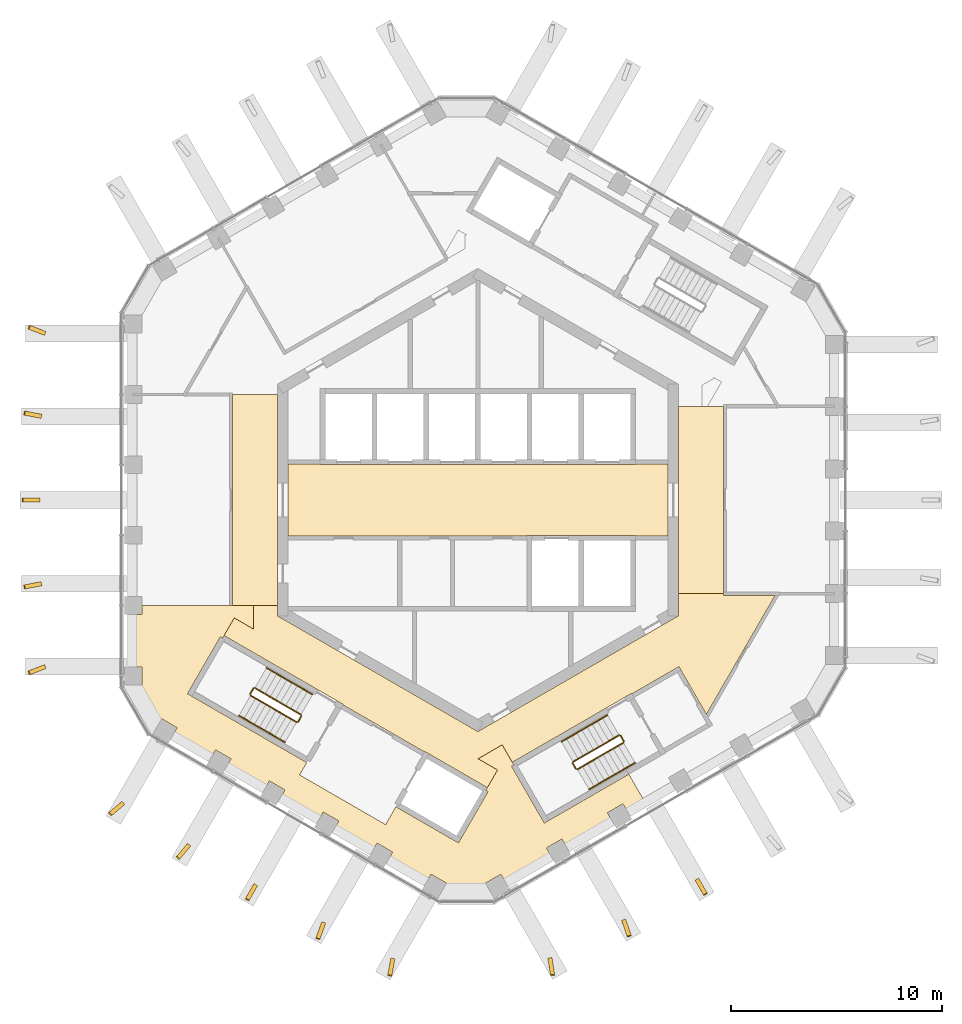
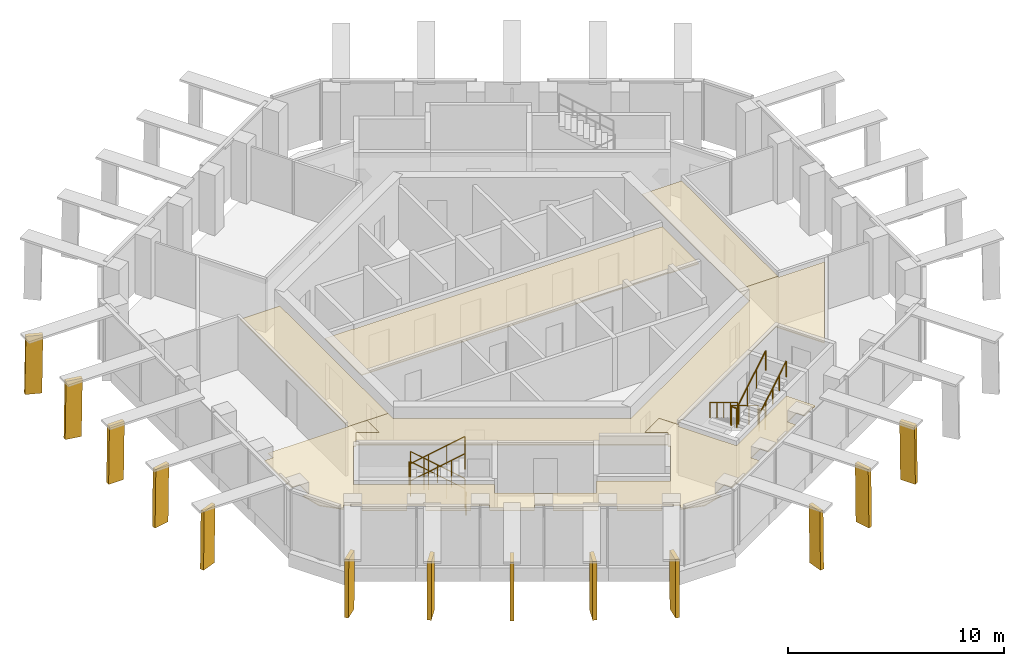
# One storey, part 15 of 17: 16 railings, 13 shading devices, 5 coverings.
"""IFC4 building model written with IfcOpenShell, lengths in metres."""

from ifc_helpers import new_model, si_unit, direction, frame, origin, origin_2d, place, context, subcontext, project, spatial, polyline, circle, outline, extrude, material, layer, layer_set, type_object, element, save


model = new_model("IFC4")

# Units and contexts
model_context = context("Model", 3, precision=1e-05, world=origin(), true_north=direction((0.0, 1.0)))
body_context = subcontext(model_context, "Body", "Model", "MODEL_VIEW")
ifc_project = project(units=[si_unit("LENGTHUNIT", "METRE"), si_unit("AREAUNIT", "SQUARE_METRE"), si_unit("VOLUMEUNIT", "CUBIC_METRE"), si_unit("PLANEANGLEUNIT", "RADIAN"), si_unit("MASSUNIT", "GRAM", prefix="KILO")], contexts=[model_context])

# Site, building, storey
site_placement = place(None, origin())
site = spatial("IfcSite", under=ifc_project, at=site_placement, CompositionType="ELEMENT")
building_placement = place(site_placement, origin())
building = spatial("IfcBuilding", under=site, at=building_placement, Name="Ayvan Gate Tower", CompositionType="ELEMENT")
storey_placement = place(building_placement, frame((0.0, 0.0, 249.5)))
storey = spatial("IfcBuildingStorey", under=building, at=storey_placement, Name="L67", CompositionType="ELEMENT", Elevation=249.5)

# Coverings
ifc_material_1 = material(Name="Plasterboard suspended ceiling")
ifc_layer_1 = layer(ifc_material_1, 0.050048828125)
ifc_layer_set_1 = layer_set([ifc_layer_1], Name="Plasterboard suspended ceiling")
covering_type = type_object("IfcCoveringType", Name="CT-SUSP-50", PredefinedType="CEILING", material=ifc_layer_set_1)
covering_1_placement = place(storey_placement, frame((0.0, 0.0, 2.699951171875)))
element("IfcCovering", 1, at=covering_1_placement, inside=storey, type_object=covering_type, Name="Ceiling Lift Lobby L67", PredefinedType="CEILING", context=body_context, shape_type="SweptSolid", body=[
    extrude(outline(polyline([(7.47509765625, -1.675048828125), (2.324951171875, -1.675048828125), (2.324951171875, -1.699951171875), (-9.0, -1.699951171875), (-9.0, 1.699951171875), (-7.47509765625, 1.699951171875), (-7.47509765625, 1.675048828125), (7.47509765625, 1.675048828125), (7.47509765625, 1.699951171875), (9.0, 1.699951171875), (9.0, -1.699951171875), (7.47509765625, -1.699951171875), (7.47509765625, -1.675048828125)])), origin(), (0.0, 0.0, 1.0), 0.050048828125),
])
covering_2_placement = place(storey_placement, frame((0.0, 0.0, 2.699951171875)))
element("IfcCovering", 2, at=covering_2_placement, inside=storey, type_object=covering_type, Name="Ceiling Gallery L67", PredefinedType="CEILING", context=body_context, shape_type="SweptSolid", body=[
    extrude(outline(polyline([(-4.66748046875, -8.27490234375), (0.0, -10.9697265625), (4.66748046875, -8.27490234375), (8.38720703125, -6.127197265625), (9.5, -5.48486328125), (9.5, -4.440673828125), (11.625, -4.440673828125), (11.625, -4.515625), (14.081298828125, -4.515625), (10.82666015625, -10.152587890625), (9.623779296875, -8.069091796875), (9.52392578125, -7.89599609375), (7.2939453125, -9.183349609375), (7.281494140625, -9.16162109375), (1.630615234375, -12.42431640625), (1.153076171875, -11.59716796875), (0.010009765625, -12.257080078125), (0.930419921875, -12.78857421875), (0.447998046875, -13.624267578125), (-2.284423828125, -12.046630859375), (-2.518310546875, -11.91162109375), (-2.53076171875, -11.933349609375), (-6.384521484375, -9.70849609375), (-6.3720703125, -9.686767578125), (-12.02294921875, -6.42431640625), (-11.540283203125, -5.58837890625), (-10.6201171875, -6.119873046875), (-10.6201171875, -4.995849609375), (-9.5, -4.995849609375), (-9.5, -5.48486328125), (-4.66748046875, -8.27490234375)])), origin(), (0.0, 0.0, 1.0), 0.050048828125),
])
covering_3_placement = place(storey_placement, frame((0.0, 0.0, 2.699951171875)))
element("IfcCovering", 3, at=covering_3_placement, inside=storey, type_object=covering_type, Name="Ceiling Lift Lounge Lobby L67", PredefinedType="CEILING", context=body_context, shape_type="SweptSolid", body=[
    extrude(outline(polyline([(11.625, -4.440673828125), (9.5, -4.440673828125), (9.5, 4.440673828125), (11.625, 4.440673828125), (11.625, -4.36572265625), (11.625, -4.36572265625), (11.625, -4.440673828125)])), origin(), (0.0, 0.0, 1.0), 0.050048828125),
])
covering_4_placement = place(storey_placement, frame((0.0, 0.0, 2.699951171875)))
element("IfcCovering", 4, at=covering_4_placement, inside=storey, type_object=covering_type, Name="Ceiling Lift Lounge Lobby L67", PredefinedType="CEILING", context=body_context, shape_type="SweptSolid", body=[
    extrude(outline(polyline([(-11.625, 4.995849609375), (-9.5, 4.995849609375), (-9.5, -4.995849609375), (-11.625, -4.995849609375), (-11.625, 4.995849609375)])), origin(), (0.0, 0.0, 1.0), 0.050048828125),
])
covering_5_placement = place(storey_placement, frame((0.0, 0.0, 2.699951171875)))
element("IfcCovering", 5, at=covering_5_placement, inside=storey, type_object=covering_type, Name="Ceiling Shared Kitchen L67", PredefinedType="CEILING", context=body_context, shape_type="SweptSolid", body=[
    extrude(outline(polyline([(-13.53955078125, -9.301513671875), (-8.106201171875, -12.438232421875), (-8.444091796875, -13.023681640625), (-4.3720703125, -15.374755859375), (-3.88427734375, -14.529541015625), (-0.9189453125, -16.24169921875), (-0.803955078125, -16.042236328125), (0.483642578125, -13.812255859375), (0.376220703125, -13.750244140625), (0.38671875, -13.732177734375), (0.931640625, -12.7880859375), (0.011962890625, -12.257080078125), (1.152587890625, -11.5986328125), (1.691650390625, -12.531982421875), (1.7021484375, -12.55029296875), (1.5947265625, -12.6123046875), (3.147216796875, -15.30126953125), (3.346435546875, -15.186279296875), (7.15185546875, -12.9892578125), (7.916015625, -14.31298828125), (7.099609375, -14.7841796875), (6.872314453125, -14.390380859375), (6.13623046875, -14.8154296875), (6.363525390625, -15.209228515625), (4.20947265625, -16.452880859375), (3.98193359375, -16.05908203125), (3.245849609375, -16.484130859375), (3.47314453125, -16.8779296875), (1.319091796875, -18.12158203125), (1.091796875, -17.727783203125), (0.355712890625, -18.15283203125), (0.523681640625, -18.444091796875), (-0.5341796875, -18.7275390625), (-1.643310546875, -18.430419921875), (-1.483154296875, -18.15283203125), (-2.219482421875, -17.727783203125), (-2.431884765625, -18.095947265625), (-4.247802734375, -17.047607421875), (-4.03515625, -16.679443359375), (-4.771240234375, -16.25439453125), (-4.98388671875, -16.62255859375), (-6.7998046875, -15.57421875), (-6.587158203125, -15.2060546875), (-7.3232421875, -14.781005859375), (-7.535888671875, -15.149169921875), (-9.351806640625, -14.100830078125), (-9.13916015625, -13.732666015625), (-9.875244140625, -13.3076171875), (-10.087890625, -13.67578125), (-11.90380859375, -12.62744140625), (-11.691162109375, -12.259521484375), (-12.42724609375, -11.83447265625), (-12.639892578125, -12.202392578125), (-14.45556640625, -11.154052734375), (-14.2431640625, -10.785888671875), (-14.979248046875, -10.361083984375), (-15.139404296875, -10.638427734375), (-15.951416015625, -9.826416015625), (-16.23486328125, -8.7685546875), (-15.898681640625, -8.7685546875), (-15.898681640625, -7.91845703125), (-16.353515625, -7.91845703125), (-16.353515625, -5.43115234375), (-15.898681640625, -5.43115234375), (-15.898681640625, -4.996826171875), (-10.62109375, -4.996826171875), (-10.62109375, -6.1181640625), (-11.540771484375, -5.587158203125), (-12.09619140625, -6.54931640625), (-12.20361328125, -6.4873046875), (-13.756103515625, -9.17626953125), (-13.53955078125, -9.30126953125), (-13.53955078125, -9.301513671875)])), origin(), (0.0, 0.0, 1.0), 0.050048828125),
])

# Shading devices
ifc_material_2 = material(Name="Bronze anodised aluminium", Category="aluminium")
ifc_layer_2 = layer(ifc_material_2, 0.199951171875)
ifc_layer_set_2 = layer_set([ifc_layer_2], Name="Bronze anodised aluminium")
shading_device_type = type_object("IfcShadingDeviceType", Name="Crown frame rib 800 x 200", PredefinedType="USERDEFINED", material=ifc_layer_set_2)
shading_device_1_placement = place(storey_placement, frame((-20.499267578125, 8.0009765625, 0.0), z_axis=(0.359336886693, 0.933207812745, 0.000424375036), x_axis=(-0.933207896787, 0.359336919026, 6.0431e-08)))
element("IfcShadingDevice", 6, at=shading_device_1_placement, inside=storey, type_object=shading_device_type, Name="CROWN FRAME rib FR05.4.1", ObjectType="FIN", PredefinedType="USERDEFINED", context=body_context, shape_type="SweptSolid", body=[
    extrude(outline(polyline([(0.0, 0.0), (0.7999729741374687, 0.0), (0.7502975463094581, 3.28002954689056), (-0.049763156568007186, 3.280029643582906), (0.0, 0.0)])), origin(), (0.0, 0.0, -1.0), 0.199951171875),
])
shading_device_2_placement = place(storey_placement, frame((-20.6982421875, 4.0712890625, 0.0), z_axis=(0.188247583558, 0.982121509679, 0.000433023752), x_axis=(-0.982121601758, 0.188247601207, 0.0)))
element("IfcShadingDevice", 7, at=shading_device_2_placement, inside=storey, type_object=shading_device_type, Name="CROWN FRAME rib FR05.4.2", ObjectType="FIN", PredefinedType="USERDEFINED", context=body_context, shape_type="SweptSolid", body=[
    extrude(outline(polyline([(0.0, 0.0), (0.8001948745126715, 0.0), (0.7544315920978253, 3.2800296043934845), (-0.04576328241484625, 3.2800296043934845), (0.0, 0.0)])), origin(), (0.0, 0.0, -1.0), 0.199951171875),
])
shading_device_3_placement = place(storey_placement, frame((-20.78369140625, 0.099853515625, 0.0), z_axis=(0.0, 0.999999900277, 0.000446594671), x_axis=(-1.0, 0.0, 0.0)))
element("IfcShadingDevice", 8, at=shading_device_3_placement, inside=storey, type_object=shading_device_type, Name="CROWN FRAME rib FR05.4.3", ObjectType="FIN", PredefinedType="USERDEFINED", context=body_context, shape_type="SweptSolid", body=[
    extrude(outline(polyline([(0.0, 0.0), (0.800048828125, 0.0), (0.755615234375, 3.280029623970722), (-0.04443359375, 3.280029623970722), (0.0, 0.0)])), origin(), (0.0, 0.0, -1.0), 0.199951171875),
])
shading_device_4_placement = place(storey_placement, frame((-20.736083984375, -3.875, 0.0), z_axis=(-0.188422949426, 0.982087874863, 0.000445170436), x_axis=(-0.98208797217, -0.188422968131, 7.951e-08)))
element("IfcShadingDevice", 9, at=shading_device_4_placement, inside=storey, type_object=shading_device_type, Name="CROWN FRAME rib FR05.4.4", ObjectType="FIN", PredefinedType="USERDEFINED", context=body_context, shape_type="SweptSolid", body=[
    extrude(outline(polyline([(0.0, 0.0), (0.8000010958856327, 0.0), (0.7542643049481805, 3.2800295619162907), (-0.04593055680757874, 3.280029689147729), (0.0, 0.0)])), origin(), (0.0, 0.0, -1.0), 0.199951171875),
])
shading_device_5_placement = place(storey_placement, frame((-20.571044921875, -7.814453125, 0.0), z_axis=(-0.359336883202, 0.933207803679, 0.000446680672), x_axis=(-0.933207896767, -0.359336919077, 6.3601e-08)))
element("IfcShadingDevice", 10, at=shading_device_5_placement, inside=storey, type_object=shading_device_type, Name="CROWN FRAME rib FR05.4.5", ObjectType="FIN", PredefinedType="USERDEFINED", context=body_context, shape_type="SweptSolid", body=[
    extrude(outline(polyline([(0.0, 0.0), (0.8000607028774714, -1.3552527156068805e-20), (0.7503512370084212, 3.280029576373769), (-0.04962173712904128, 3.2800296781372156), (0.0, 0.0)])), origin(), (0.0, 0.0, -1.0), 0.199951171875),
])
shading_device_6_placement = place(storey_placement, frame((-16.8955078125, -14.301025390625, 0.0), z_axis=(-0.649634622958, 0.760246436402, 0.000461076791), x_axis=(-0.760246517227, -0.649634691996, -4.5694e-08)))
element("IfcShadingDevice", 11, at=shading_device_6_placement, inside=storey, type_object=shading_device_type, Name="CROWN FRAME rib FR05.5.1", ObjectType="FIN", PredefinedType="USERDEFINED", context=body_context, shape_type="SweptSolid", body=[
    extrude(outline(polyline([(0.0, 0.0), (0.8001969189912868, 0.0), (0.749854346131223, 3.280029679792304), (-0.05015696580019389, 3.2800296066729824), (0.0, 0.0)])), origin(), (0.0, 0.0, -1.0), 0.199951171875),
])
shading_device_7_placement = place(storey_placement, frame((-13.784423828125, -16.297607421875, 0.0), z_axis=(-0.766617836668, 0.642103474662, 0.00046939235), x_axis=(-0.642103545399, -0.766617921123, 0.0)))
element("IfcShadingDevice", 12, at=shading_device_7_placement, inside=storey, type_object=shading_device_type, Name="CROWN FRAME rib FR05.5.2", ObjectType="FIN", PredefinedType="USERDEFINED", context=body_context, shape_type="SweptSolid", body=[
    extrude(outline(polyline([(0.0, 0.0), (0.7999829290476004, 0.0), (0.7531529445428216, 3.280029658218139), (-0.046829984504778835, 3.280029658218139), (0.0, 0.0)])), origin(), (0.0, 0.0, -1.0), 0.199951171875),
])
shading_device_8_placement = place(storey_placement, frame((-10.626220703125, -18.20556640625, 0.0), z_axis=(-0.865961892378, 0.500109775055, 0.00046243194), x_axis=(-0.500109828528, -0.865961984968, 0.0)))
element("IfcShadingDevice", 13, at=shading_device_8_placement, inside=storey, type_object=shading_device_type, Name="CROWN FRAME rib FR05.5.3", ObjectType="FIN", PredefinedType="USERDEFINED", context=body_context, shape_type="SweptSolid", body=[
    extrude(outline(polyline([(0.0, 0.0), (0.8001172173575528, 0.0), (0.7544143783355358, 3.280029647581199), (-0.045702839022017064, 3.280029647581199), (0.0, 0.0)])), origin(), (0.0, 0.0, -1.0), 0.199951171875),
])
shading_device_9_placement = place(storey_placement, frame((-7.40966796875, -20.017822265625, 0.0), z_axis=(-0.939445372812, 0.34269844199, 0.000411533277), x_axis=(-0.342698471002, -0.939445452367, 2.1516e-08)))
element("IfcShadingDevice", 14, at=shading_device_9_placement, inside=storey, type_object=shading_device_type, Name="CROWN FRAME rib FR05.5.4", ObjectType="FIN", PredefinedType="USERDEFINED", context=body_context, shape_type="SweptSolid", body=[
    extrude(outline(polyline([(0.0, 0.0), (0.8001471998957519, -1.3552527156068805e-20), (0.7531520733454077, 3.2800295584226613), (-0.04676576975044978, 3.280029592849324), (0.0, 0.0)])), origin(), (0.0, 0.0, -1.0), 0.199951171875),
])
shading_device_10_placement = place(storey_placement, frame((-4.134033203125, -21.74609375, 0.0), z_axis=(-0.983263666661, 0.182187588143, 0.000494521482), x_axis=(-0.18218761042, -0.98326378689, 0.0)))
element("IfcShadingDevice", 15, at=shading_device_10_placement, inside=storey, type_object=shading_device_type, Name="CROWN FRAME rib FR05.5.5", ObjectType="FIN", PredefinedType="USERDEFINED", context=body_context, shape_type="SweptSolid", body=[
    extrude(outline(polyline([(0.0, 0.0), (0.8000102355421452, 0.0), (0.7498021603411223, 3.2800296979431103), (-0.05020807520102281, 3.2800296979431103), (0.0, 0.0)])), origin(), (0.0, 0.0, -1.0), 0.199951171875),
])
shading_device_11_placement = place(storey_placement, frame((3.320556640625, -21.75341796875, 0.0), z_axis=(-0.987861620973, -0.155335670397, 0.000497302932), x_axis=(0.155335689605, -0.987861743127, 0.0)))
element("IfcShadingDevice", 16, at=shading_device_11_placement, inside=storey, type_object=shading_device_type, Name="CROWN FRAME rib FR05.6.1", ObjectType="FIN", PredefinedType="USERDEFINED", context=body_context, shape_type="SweptSolid", body=[
    extrude(outline(polyline([(0.0, 0.0), (0.7999937325470513, -1.3552527156068805e-20), (0.7503278476955174, 3.2800297024674365), (-0.04966588485153385, 3.2800297024674365), (0.0, 0.0)])), origin(), (0.0, 0.0, -1.0), 0.199951171875),
])
shading_device_12_placement = place(storey_placement, frame((6.8232421875, -19.9609375, 0.0), z_axis=(-0.944704417205, -0.327922757644, 0.000478678068), x_axis=(0.327922795233, -0.944704525429, 4.5043e-08)))
element("IfcShadingDevice", 17, at=shading_device_12_placement, inside=storey, type_object=shading_device_type, Name="CROWN FRAME rib FR05.6.2", ObjectType="FIN", PredefinedType="USERDEFINED", context=body_context, shape_type="SweptSolid", body=[
    extrude(outline(polyline([(0.0, 0.0), (0.8001274940440789, -1.3552527156068805e-20), (0.7541289867297101, 3.2800296386879197), (-0.045687807284910266, 3.2800297107539755), (0.0, 0.0)])), origin(), (0.0, 0.0, -1.0), 0.199951171875),
])
shading_device_13_placement = place(storey_placement, frame((10.305419921875, -18.04931640625, 0.0), z_axis=(-0.865989811042, -0.500061429213, 0.000462800934), x_axis=(0.500061482756, -0.865989903789, -2.5848e-08)))
element("IfcShadingDevice", 18, at=shading_device_13_placement, inside=storey, type_object=shading_device_type, Name="CROWN FRAME rib FR05.6.3", ObjectType="FIN", PredefinedType="USERDEFINED", context=body_context, shape_type="SweptSolid", body=[
    extrude(outline(polyline([(0.0, 0.0), (0.799783707471367, 0.0), (0.7555786396224826, 3.280029667671348), (-0.0445385764881775, 3.2800296263170208), (0.0, 0.0)])), origin(), (0.0, 0.0, -1.0), 0.199951171875),
])

# Railings
ifc_material_3 = material(Name="Stainless steel balustrade", Category="steel")
railing_type_1 = type_object("IfcRailingType", Name="RL-GUARD-1100", PredefinedType="GUARDRAIL", material=ifc_material_3)
railing_1_placement = place(storey_placement, frame((-8.381103515625, -10.16650390625, 0.169921875)))
element("IfcRailing", 19, at=railing_1_placement, inside=storey, type_object=railing_type_1, Name="L67 STS2 stair guard 1", PredefinedType="GUARDRAIL", context=body_context, shape_type="SweptSolid", body=[
    extrude(circle(Radius=0.02392578125, at=origin_2d()), frame((0.0, 0.0, 1.076171875), z_axis=(-0.740261155115, 0.427395438142, 0.518986090067), x_axis=(-0.500004791531, -0.866022637375, 0.0)), (0.0, 0.0, 1.0), 2.947998046875),
    extrude(circle(Radius=0.02099609375, at=origin_2d()), origin(), (0.0, 0.0, 1.0), 1.052001953125),
    extrude(circle(Radius=0.02099609375, at=origin_2d()), frame((-0.7275390625, 0.419921875, 0.510009765625)), (0.0, 0.0, 1.0), 1.052001953125),
    extrude(circle(Radius=0.02099609375, at=origin_2d()), frame((-1.454833984375, 0.840087890625, 1.02001953125)), (0.0, 0.0, 1.0), 1.052001953125),
    extrude(circle(Radius=0.02099609375, at=origin_2d()), frame((-2.182373046875, 1.260009765625, 1.530029296875)), (0.0, 0.0, 1.0), 1.052001953125),
])
railing_2_placement = place(storey_placement, frame((-10.6318359375, -8.9248046875, 1.699951171875)))
element("IfcRailing", 20, at=railing_2_placement, inside=storey, type_object=railing_type_1, Name="L67 STS2 stair guard 2", PredefinedType="GUARDRAIL", context=body_context, shape_type="SweptSolid", body=[
    extrude(circle(Radius=0.02392578125, at=origin_2d()), frame((0.0, 0.0, 1.076171875), z_axis=(-0.499949632511, -0.866054481515, 0.0), x_axis=(0.866054481515, -0.499949632511, 0.0)), (0.0, 0.0, 1.0), 0.31005859375),
    extrude(circle(Radius=0.02099609375, at=origin_2d()), origin(), (0.0, 0.0, 1.0), 1.052001953125),
    extrude(circle(Radius=0.02099609375, at=origin_2d()), frame((-0.155029296875, -0.2685546875, 0.0)), (0.0, 0.0, 1.0), 1.052001953125),
])
railing_3_placement = place(storey_placement, frame((-10.7685546875, -9.261474609375, 1.8701171875)))
element("IfcRailing", 21, at=railing_3_placement, inside=storey, type_object=railing_type_1, Name="L67 STS2 stair guard 3", PredefinedType="GUARDRAIL", context=body_context, shape_type="SweptSolid", body=[
    extrude(circle(Radius=0.02392578125, at=origin_2d()), frame((0.0, 0.0, 1.076171875), z_axis=(0.740292969978, -0.427413806696, 0.51892557891), x_axis=(0.500004791531, 0.866022637375, 0.0)), (0.0, 0.0, 1.0), 2.947998046875),
    extrude(circle(Radius=0.02099609375, at=origin_2d()), origin(), (0.0, 0.0, 1.0), 1.052001953125),
    extrude(circle(Radius=0.02099609375, at=origin_2d()), frame((0.7275390625, -0.419921875, 0.510009765625)), (0.0, 0.0, 1.0), 1.052001953125),
    extrude(circle(Radius=0.02099609375, at=origin_2d()), frame((1.454833984375, -0.840087890625, 1.019775390625)), (0.0, 0.0, 1.0), 1.052001953125),
    extrude(circle(Radius=0.02099609375, at=origin_2d()), frame((2.182373046875, -1.260009765625, 1.52978515625)), (0.0, 0.0, 1.0), 1.052001953125),
])
railing_4_placement = place(storey_placement, frame((-8.36279296875, -10.23486328125, 0.0)))
element("IfcRailing", 22, at=railing_4_placement, inside=storey, type_object=railing_type_1, Name="L67 STS2 stair guard 4", PredefinedType="GUARDRAIL", context=body_context, shape_type="SweptSolid", body=[
    extrude(circle(Radius=0.02392578125, at=origin_2d()), frame((0.0, 0.0, 1.076171875), z_axis=(-0.500290723946, -0.86585748916, 0.0), x_axis=(0.86585748916, -0.500290723946, 0.0)), (0.0, 0.0, 1.0), 0.309814453125),
    extrude(circle(Radius=0.02099609375, at=origin_2d()), origin(), (0.0, 0.0, 1.0), 1.052001953125),
    extrude(circle(Radius=0.02099609375, at=origin_2d()), frame((-0.155029296875, -0.268310546875, 0.0)), (0.0, 0.0, 1.0), 1.052001953125),
])
railing_5_placement = place(storey_placement, frame((6.6923828125, -11.1416015625, 0.169921875)))
element("IfcRailing", 23, at=railing_5_placement, inside=storey, type_object=railing_type_1, Name="L67 STS3 stair guard 1", PredefinedType="GUARDRAIL", context=body_context, shape_type="SweptSolid", body=[
    extrude(circle(Radius=0.02392578125, at=origin_2d()), frame((0.0, 0.0, 1.076171875), z_axis=(-0.740261155115, -0.427395438142, 0.518986090067), x_axis=(0.500004791531, -0.866022637375, 0.0)), (0.0, 0.0, 1.0), 2.947998046875),
    extrude(circle(Radius=0.02099609375, at=origin_2d()), origin(), (0.0, 0.0, 1.0), 1.052001953125),
    extrude(circle(Radius=0.02099609375, at=origin_2d()), frame((-0.7275390625, -0.419921875, 0.510009765625)), (0.0, 0.0, 1.0), 1.052001953125),
    extrude(circle(Radius=0.02099609375, at=origin_2d()), frame((-1.454833984375, -0.840087890625, 1.02001953125)), (0.0, 0.0, 1.0), 1.052001953125),
    extrude(circle(Radius=0.02099609375, at=origin_2d()), frame((-2.182373046875, -1.260009765625, 1.530029296875)), (0.0, 0.0, 1.0), 1.052001953125),
])
railing_6_placement = place(storey_placement, frame((4.49169921875, -12.4697265625, 1.699951171875)))
element("IfcRailing", 24, at=railing_6_placement, inside=storey, type_object=railing_type_1, Name="L67 STS3 stair guard 2", PredefinedType="GUARDRAIL", context=body_context, shape_type="SweptSolid", body=[
    extrude(circle(Radius=0.02392578125, at=origin_2d()), frame((0.0, 0.0, 1.076171875), z_axis=(0.499949632511, -0.866054481515, 0.0), x_axis=(0.866054481515, 0.499949632511, 0.0)), (0.0, 0.0, 1.0), 0.31005859375),
    extrude(circle(Radius=0.02099609375, at=origin_2d()), origin(), (0.0, 0.0, 1.0), 1.052001953125),
    extrude(circle(Radius=0.02099609375, at=origin_2d()), frame((0.155029296875, -0.2685546875, 0.0)), (0.0, 0.0, 1.0), 1.052001953125),
])
railing_7_placement = place(storey_placement, frame((4.715087890625, -12.756591796875, 1.8701171875)))
element("IfcRailing", 25, at=railing_7_placement, inside=storey, type_object=railing_type_1, Name="L67 STS3 stair guard 3", PredefinedType="GUARDRAIL", context=body_context, shape_type="SweptSolid", body=[
    extrude(circle(Radius=0.02392578125, at=origin_2d()), frame((0.0, 0.0, 1.076171875), z_axis=(0.740292969978, 0.427413806696, 0.51892557891), x_axis=(-0.500004791531, 0.866022637375, 0.0)), (0.0, 0.0, 1.0), 2.947998046875),
    extrude(circle(Radius=0.02099609375, at=origin_2d()), origin(), (0.0, 0.0, 1.0), 1.052001953125),
    extrude(circle(Radius=0.02099609375, at=origin_2d()), frame((0.7275390625, 0.419921875, 0.510009765625)), (0.0, 0.0, 1.0), 1.052001953125),
    extrude(circle(Radius=0.02099609375, at=origin_2d()), frame((1.454833984375, 0.840087890625, 1.019775390625)), (0.0, 0.0, 1.0), 1.052001953125),
    extrude(circle(Radius=0.02099609375, at=origin_2d()), frame((2.182373046875, 1.260009765625, 1.52978515625)), (0.0, 0.0, 1.0), 1.052001953125),
])
railing_8_placement = place(storey_placement, frame((6.7607421875, -11.159912109375, 0.0)))
element("IfcRailing", 26, at=railing_8_placement, inside=storey, type_object=railing_type_1, Name="L67 STS3 stair guard 4", PredefinedType="GUARDRAIL", context=body_context, shape_type="SweptSolid", body=[
    extrude(circle(Radius=0.02392578125, at=origin_2d()), frame((0.0, 0.0, 1.076171875), z_axis=(0.500290723946, -0.86585748916, 0.0), x_axis=(0.86585748916, 0.500290723946, 0.0)), (0.0, 0.0, 1.0), 0.309814453125),
    extrude(circle(Radius=0.02099609375, at=origin_2d()), origin(), (0.0, 0.0, 1.0), 1.052001953125),
    extrude(circle(Radius=0.02099609375, at=origin_2d()), frame((0.155029296875, -0.268310546875, 0.0)), (0.0, 0.0, 1.0), 1.052001953125),
])
railing_type_2 = type_object("IfcRailingType", Name="RL-HANDRAIL-900", PredefinedType="HANDRAIL", material=ifc_material_3)
railing_9_placement = place(storey_placement, frame((-7.8310546875, -9.2138671875, 0.169921875)))
element("IfcRailing", 27, at=railing_9_placement, inside=storey, type_object=railing_type_2, Name="L67 STS2 stair handrail 1", PredefinedType="HANDRAIL", context=body_context, shape_type="SweptSolid", body=[
    extrude(circle(Radius=0.02392578125, at=origin_2d()), frame((0.0, 0.0, 0.8759765625), z_axis=(-0.740292964666, 0.42728318766, 0.519033143459), x_axis=(-0.499890179513, -0.866088799389, 0.0)), (0.0, 0.0, 1.0), 1.47412109375),
    extrude(circle(Radius=0.02099609375, at=origin_2d()), origin(), (0.0, 0.0, 1.0), 0.851806640625),
    extrude(circle(Radius=0.02099609375, at=origin_2d()), frame((-0.545654296875, 0.31494140625, 0.382568359375)), (0.0, 0.0, 1.0), 0.851806640625),
    extrude(circle(Radius=0.02099609375, at=origin_2d()), frame((-1.09130859375, 0.6298828125, 0.76513671875)), (0.0, 0.0, 1.0), 0.851806640625),
])
railing_10_placement = place(storey_placement, frame((-8.92236328125, -8.583984375, 0.93505859375)))
element("IfcRailing", 28, at=railing_10_placement, inside=storey, type_object=railing_type_2, Name="L67 STS2 stair handrail 2", PredefinedType="HANDRAIL", context=body_context, shape_type="SweptSolid", body=[
    extrude(circle(Radius=0.02392578125, at=origin_2d()), frame((0.0, 0.0, 0.8759765625), z_axis=(-0.740229329464, 0.427507697325, 0.518939021976), x_axis=(-0.50011940292, -0.865956455501, 0.0)), (0.0, 0.0, 1.0), 1.473876953125),
    extrude(circle(Radius=0.02099609375, at=origin_2d()), origin(), (0.0, 0.0, 1.0), 0.851806640625),
    extrude(circle(Radius=0.02099609375, at=origin_2d()), frame((-0.54541015625, 0.31494140625, 0.38232421875)), (0.0, 0.0, 1.0), 0.851806640625),
    extrude(circle(Radius=0.02099609375, at=origin_2d()), frame((-1.091064453125, 0.630126953125, 0.764892578125)), (0.0, 0.0, 1.0), 0.851806640625),
])
railing_11_placement = place(storey_placement, frame((-11.318603515625, -10.214111328125, 1.8701171875)))
element("IfcRailing", 29, at=railing_11_placement, inside=storey, type_object=railing_type_2, Name="L67 STS2 stair handrail 3", PredefinedType="HANDRAIL", context=body_context, shape_type="SweptSolid", body=[
    extrude(circle(Radius=0.02392578125, at=origin_2d()), frame((0.0, 0.0, 0.8759765625), z_axis=(0.740304193401, -0.427455284825, 0.518875399983), x_axis=(0.500035496587, 0.86600490885, 0.0)), (0.0, 0.0, 1.0), 1.47412109375),
    extrude(circle(Radius=0.02099609375, at=origin_2d()), origin(), (0.0, 0.0, 1.0), 0.851806640625),
    extrude(circle(Radius=0.02099609375, at=origin_2d()), frame((0.545654296875, -0.31494140625, 0.38232421875)), (0.0, 0.0, 1.0), 0.851806640625),
    extrude(circle(Radius=0.02099609375, at=origin_2d()), frame((1.09130859375, -0.630126953125, 0.764892578125)), (0.0, 0.0, 1.0), 0.851806640625),
])
railing_12_placement = place(storey_placement, frame((-10.227294921875, -10.84423828125, 2.635009765625)))
element("IfcRailing", 30, at=railing_12_placement, inside=storey, type_object=railing_type_2, Name="L67 STS2 stair handrail 4", PredefinedType="HANDRAIL", context=body_context, shape_type="SweptSolid", body=[
    extrude(circle(Radius=0.02392578125, at=origin_2d()), frame((0.0, 0.0, 0.8759765625), z_axis=(0.740356597536, -0.427319915356, 0.518912129772), x_axis=(0.499890179513, 0.866088799389, 0.0)), (0.0, 0.0, 1.0), 1.47412109375),
    extrude(circle(Radius=0.02099609375, at=origin_2d()), origin(), (0.0, 0.0, 1.0), 0.851806640625),
    extrude(circle(Radius=0.02099609375, at=origin_2d()), frame((0.545654296875, -0.31494140625, 0.38232421875)), (0.0, 0.0, 1.0), 0.851806640625),
    extrude(circle(Radius=0.02099609375, at=origin_2d()), frame((1.09130859375, -0.6298828125, 0.764892578125)), (0.0, 0.0, 1.0), 0.851806640625),
])
railing_13_placement = place(storey_placement, frame((6.142333984375, -10.18896484375, 0.169921875)))
element("IfcRailing", 31, at=railing_13_placement, inside=storey, type_object=railing_type_2, Name="L67 STS3 stair handrail 1", PredefinedType="HANDRAIL", context=body_context, shape_type="SweptSolid", body=[
    extrude(circle(Radius=0.02392578125, at=origin_2d()), frame((0.0, 0.0, 0.8759765625), z_axis=(-0.740218099111, -0.427335577468, 0.519096782863), x_axis=(0.499974077718, -0.866040369504, 0.0)), (0.0, 0.0, 1.0), 1.473876953125),
    extrude(circle(Radius=0.02099609375, at=origin_2d()), origin(), (0.0, 0.0, 1.0), 0.851806640625),
    extrude(circle(Radius=0.02099609375, at=origin_2d()), frame((-0.54541015625, -0.31494140625, 0.382568359375)), (0.0, 0.0, 1.0), 0.851806640625),
    extrude(circle(Radius=0.02099609375, at=origin_2d()), frame((-1.091064453125, -0.6298828125, 0.76513671875)), (0.0, 0.0, 1.0), 0.851806640625),
])
railing_14_placement = place(storey_placement, frame((5.05126953125, -10.81884765625, 0.93505859375)))
element("IfcRailing", 32, at=railing_14_placement, inside=storey, type_object=railing_type_2, Name="L67 STS3 stair handrail 2", PredefinedType="HANDRAIL", context=body_context, shape_type="SweptSolid", body=[
    extrude(circle(Radius=0.02392578125, at=origin_2d()), frame((0.0, 0.0, 0.8759765625), z_axis=(-0.740304193401, -0.427455284825, 0.518875399983), x_axis=(0.500035496587, -0.86600490885, 0.0)), (0.0, 0.0, 1.0), 1.47412109375),
    extrude(circle(Radius=0.02099609375, at=origin_2d()), origin(), (0.0, 0.0, 1.0), 0.851806640625),
    extrude(circle(Radius=0.02099609375, at=origin_2d()), frame((-0.545654296875, -0.31494140625, 0.38232421875)), (0.0, 0.0, 1.0), 0.851806640625),
    extrude(circle(Radius=0.02099609375, at=origin_2d()), frame((-1.09130859375, -0.630126953125, 0.764892578125)), (0.0, 0.0, 1.0), 0.851806640625),
])
railing_15_placement = place(storey_placement, frame((5.264892578125, -13.709228515625, 1.8701171875)))
element("IfcRailing", 33, at=railing_15_placement, inside=storey, type_object=railing_type_2, Name="L67 STS3 stair handrail 3", PredefinedType="HANDRAIL", context=body_context, shape_type="SweptSolid", body=[
    extrude(circle(Radius=0.02392578125, at=origin_2d()), frame((0.0, 0.0, 0.8759765625), z_axis=(0.740304193401, 0.427455284825, 0.518875399983), x_axis=(-0.500035496587, 0.86600490885, 0.0)), (0.0, 0.0, 1.0), 1.47412109375),
    extrude(circle(Radius=0.02099609375, at=origin_2d()), origin(), (0.0, 0.0, 1.0), 0.851806640625),
    extrude(circle(Radius=0.02099609375, at=origin_2d()), frame((0.545654296875, 0.31494140625, 0.38232421875)), (0.0, 0.0, 1.0), 0.851806640625),
    extrude(circle(Radius=0.02099609375, at=origin_2d()), frame((1.09130859375, 0.630126953125, 0.764892578125)), (0.0, 0.0, 1.0), 0.851806640625),
])
railing_16_placement = place(storey_placement, frame((6.356201171875, -13.0791015625, 2.635009765625)))
element("IfcRailing", 34, at=railing_16_placement, inside=storey, type_object=railing_type_2, Name="L67 STS3 stair handrail 4", PredefinedType="HANDRAIL", context=body_context, shape_type="SweptSolid", body=[
    extrude(circle(Radius=0.02392578125, at=origin_2d()), frame((0.0, 0.0, 0.8759765625), z_axis=(0.740281741151, 0.427372318678, 0.518975765278), x_axis=(-0.499974077718, 0.866040369504, 0.0)), (0.0, 0.0, 1.0), 1.473876953125),
    extrude(circle(Radius=0.02099609375, at=origin_2d()), origin(), (0.0, 0.0, 1.0), 0.851806640625),
    extrude(circle(Radius=0.02099609375, at=origin_2d()), frame((0.54541015625, 0.31494140625, 0.38232421875)), (0.0, 0.0, 1.0), 0.851806640625),
    extrude(circle(Radius=0.02099609375, at=origin_2d()), frame((1.091064453125, 0.6298828125, 0.764892578125)), (0.0, 0.0, 1.0), 0.851806640625),
])

save(model, "model.ifc")
